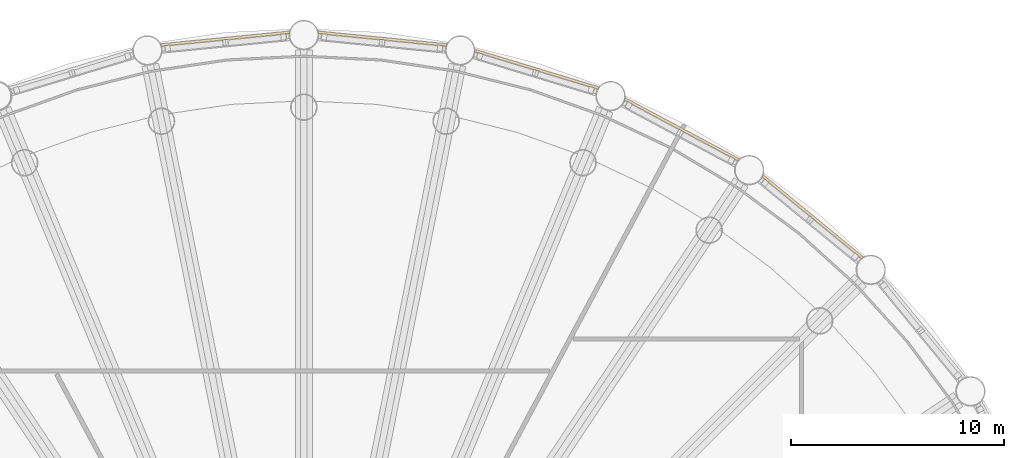
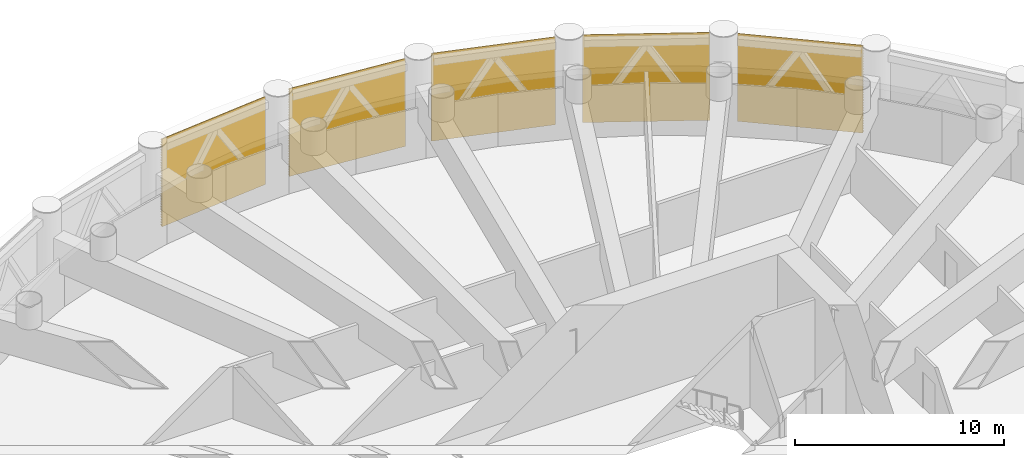
# One storey, part 26 of 26: 5 shading devices, 5 elements without a shape of their own.
"""IFC4 building model written with IfcOpenShell, lengths in metres."""

import ifcopenshell
import ifcopenshell.guid

model = None  # the IFC model being written
_history = None  # IfcOwnerHistory: only IFC2X3 demands one
_inside = {}  # id of a spatial element -> (the spatial element, [elements in it])
_under = {}  # id of a project, library or spatial element -> (it, [spatial elements below it])
_declared = {}  # id of a project -> (the project, [libraries it declares])
_typed = {}  # id of a type object -> (the type object, [elements of that type])
_made_of = {}  # id of a material, layer set ... -> (it, [elements and type objects made of it])


def new_model(schema):
    """Start an empty IFC model of exactly this schema.

    Asked for "IFC4X3", IfcOpenShell would pick the latest addendum, in which some entities
    have other attributes; the version numbers below select the first issue.
    IFC2X3 requires an IfcOwnerHistory on every rooted entity: one is made here for all.
    """
    global model, _history
    if schema == "IFC4X3":
        model = ifcopenshell.file(schema_version=(4, 3, 0, 0))
    else:
        model = ifcopenshell.file(schema=schema)
    _inside.clear()
    _under.clear()
    _declared.clear()
    _typed.clear()
    _made_of.clear()
    _history = None
    if model.schema == "IFC2X3":
        org = make("IfcOrganization", Name="unknown")
        user = make(
            "IfcPersonAndOrganization",
            ThePerson=make("IfcPerson", FamilyName="unknown"),
            TheOrganization=org,
        )
        app = make(
            "IfcApplication",
            ApplicationDeveloper=org,
            Version="unknown",
            ApplicationFullName="unknown",
            ApplicationIdentifier="unknown",
        )
        _history = make(
            "IfcOwnerHistory",
            OwningUser=user,
            OwningApplication=app,
            ChangeAction="ADDED",
            CreationDate=0,
        )
    return model


def make(cls, **values):
    """One entity of the class cls with the attributes given. An attribute that is None is left unset."""
    return model.create_entity(
        cls, **{name: value for name, value in values.items() if value is not None}
    )


def rooted(cls, **values):
    """An entity with a GlobalId (a new one), such as an element, a storey or a relation."""
    return make(cls, GlobalId=ifcopenshell.guid.new(), OwnerHistory=_history, **values)


def si_unit(unit_type, name, prefix=None):
    """IfcSIUnit, for example si_unit("LENGTHUNIT", "METRE", prefix="MILLI")."""
    return make("IfcSIUnit", UnitType=unit_type, Prefix=prefix, Name=name)


def assignment(units):
    """IfcUnitAssignment: the units of a project."""
    return None if units is None else make("IfcUnitAssignment", Units=units)


def point(xyz):
    """IfcCartesianPoint."""
    return None if xyz is None else make("IfcCartesianPoint", Coordinates=xyz)


def direction(xyz):
    """IfcDirection."""
    return None if xyz is None else make("IfcDirection", DirectionRatios=xyz)


def frame(location, z_axis=None, x_axis=None):
    """IfcAxis2Placement3D, a coordinate frame: its origin and axes. An axis left out is left unset."""
    return make(
        "IfcAxis2Placement3D",
        Location=point(location),
        Axis=direction(z_axis),
        RefDirection=direction(x_axis),
    )


def origin():
    """The frame at (0, 0, 0) with its axes left unset."""
    return frame((0.0, 0.0, 0.0))


def place(relative_to, where):
    """IfcLocalPlacement: puts the frame where relative to a parent placement (None: the world)."""
    return make(
        "IfcLocalPlacement", PlacementRelTo=relative_to, RelativePlacement=where
    )


def context(
    kind, dimensions, precision=None, world=None, true_north=None, identifier=None
):
    """IfcGeometricRepresentationContext, for example the 3D "Model" context."""
    return make(
        "IfcGeometricRepresentationContext",
        ContextIdentifier=identifier,
        ContextType=kind,
        CoordinateSpaceDimension=dimensions,
        Precision=precision,
        WorldCoordinateSystem=world,
        TrueNorth=true_north,
    )


def subcontext(parent, identifier, kind, view, scale=None):
    """IfcGeometricRepresentationSubContext, for example "Body" below "Model"."""
    return make(
        "IfcGeometricRepresentationSubContext",
        ContextIdentifier=identifier,
        ContextType=kind,
        ParentContext=parent,
        TargetScale=scale,
        TargetView=view,
    )


def project(units=None, contexts=None):
    """IfcProject with its units and contexts."""
    return rooted(
        "IfcProject",
        Name="project",
        RepresentationContexts=contexts,
        UnitsInContext=assignment(units),
    )


def spatial(cls, under=None, at=None, **own):
    """A site, building, storey or space (cls), placed at a placement, below another one or the project."""
    s = rooted(cls, ObjectPlacement=at, **own)
    if under is not None:
        _under.setdefault(under.id(), (under, []))[1].append(s)
    return s


def polyline(points):
    """IfcPolyline through the points."""
    return make("IfcPolyline", Points=[point(p) for p in points])


def outline(outer, holes=None, kind="AREA"):
    """IfcArbitraryClosedProfileDef: a profile drawn as a closed curve; with holes, ...WithVoids."""
    if holes is None:
        return make("IfcArbitraryClosedProfileDef", ProfileType=kind, OuterCurve=outer)
    return make(
        "IfcArbitraryProfileDefWithVoids",
        ProfileType=kind,
        OuterCurve=outer,
        InnerCurves=holes,
    )


def extrude(swept, where, along, depth):
    """IfcExtrudedAreaSolid: the profile swept, set in the frame where, extruded along a direction by depth."""
    return make(
        "IfcExtrudedAreaSolid",
        SweptArea=swept,
        Position=where,
        ExtrudedDirection=direction(along),
        Depth=depth,
    )


def shape(context_of_items, identifier, shape_type, items):
    """IfcShapeRepresentation: the items that make up one representation, for example the "Body"."""
    return make(
        "IfcShapeRepresentation",
        ContextOfItems=context_of_items,
        RepresentationIdentifier=identifier,
        RepresentationType=shape_type,
        Items=items,
    )


def material(Name=None, Category=None):
    """IfcMaterial."""
    return make("IfcMaterial", Name=Name, Category=Category)


def material_profile(
    of_material, cross_section, Name=None, Category=None, Priority=None
):
    """IfcMaterialProfile: a cross section and its material."""
    return make(
        "IfcMaterialProfile",
        Name=Name,
        Material=of_material,
        Profile=cross_section,
        Priority=Priority,
        Category=Category,
    )


def profile_set(profiles, Name=None, composite=None):
    """IfcMaterialProfileSet."""
    return make(
        "IfcMaterialProfileSet",
        Name=Name,
        MaterialProfiles=profiles,
        CompositeProfile=composite,
    )


def made_of(thing, what):
    """Note that an element or type object is made of a material, layer set ...; save() writes the relation."""
    if what is not None:
        _made_of.setdefault(what.id(), (what, []))[1].append(thing)
    return thing


def type_object(cls, material=None, **own):
    """A type object (cls), such as IfcWallType, which elements share."""
    return made_of(rooted(cls, **own), material)


def element(
    cls,
    number,
    at=None,
    inside=None,
    cuts=None,
    type_object=None,
    material=None,
    context=None,
    identifier="Body",
    shape_type=None,
    held_by="IfcProductDefinitionShape",
    body=None,
    shapes=None,
    **own,
):
    """One element of the class cls, such as IfcWall. Its Tag is "e" and its number.

    at: its placement. inside: the storey or other place that contains it. cuts: it is an
    opening in that element (IfcRelVoidsElement). A single representation is given by context,
    identifier, shape_type and body (its items); several are given by shapes. held_by: the class
    of the entity that holds the representations. save() writes the other relations.
    """
    e = rooted(cls, Tag="e%d" % number, ObjectPlacement=at, **own)
    if body is not None:
        shapes = [shape(context, identifier, shape_type, body)]
    if shapes is not None:
        e.Representation = make(held_by, Representations=shapes)
    if inside is not None:
        _inside.setdefault(inside.id(), (inside, []))[1].append(e)
    if cuts is not None:
        rooted(
            "IfcRelVoidsElement", RelatingBuildingElement=cuts, RelatedOpeningElement=e
        )
    if type_object is not None:
        _typed.setdefault(type_object.id(), (type_object, []))[1].append(e)
    return made_of(e, material)


def aggregate(whole, parts):
    """IfcRelAggregates: a whole, such as a stair, and the parts it consists of."""
    return rooted("IfcRelAggregates", RelatingObject=whole, RelatedObjects=parts)


def save(model, path):
    """Write the relations noted so far, then the file.

    IfcRelAggregates (storeys below a building ...), IfcRelContainedInSpatialStructure (elements
    in a storey), IfcRelDefinesByType, IfcRelAssociatesMaterial and IfcRelDeclares: one each for
    every whole, place, type object, material and project.
    """
    for whole, parts in _under.values():
        aggregate(whole, parts)
    for where, things in _inside.values():
        rooted(
            "IfcRelContainedInSpatialStructure",
            RelatedElements=things,
            RelatingStructure=where,
        )
    for kind, things in _typed.values():
        rooted("IfcRelDefinesByType", RelatedObjects=things, RelatingType=kind)
    for what, things in _made_of.values():
        rooted("IfcRelAssociatesMaterial", RelatedObjects=things, RelatingMaterial=what)
    for by, libraries in _declared.values():
        rooted("IfcRelDeclares", RelatingContext=by, RelatedDefinitions=libraries)
    model.write(path)


model = new_model("IFC4")

# Units and contexts
model_context = context("Model", 3, precision=1e-05, world=origin(), true_north=direction((0.0, 1.0)))
body_context = subcontext(model_context, "Body", "Model", "MODEL_VIEW")
ifc_project = project(units=[si_unit("LENGTHUNIT", "METRE"), si_unit("AREAUNIT", "SQUARE_METRE"), si_unit("VOLUMEUNIT", "CUBIC_METRE"), si_unit("PLANEANGLEUNIT", "RADIAN"), si_unit("MASSUNIT", "GRAM", prefix="KILO")], contexts=[model_context])

# Site, building, storey
site_placement = place(None, origin())
site = spatial("IfcSite", under=ifc_project, at=site_placement, CompositionType="ELEMENT")
building_placement = place(site_placement, origin())
building = spatial("IfcBuilding", under=site, at=building_placement, Name="Corvane Civic Tower", CompositionType="ELEMENT")
storey_placement = place(building_placement, frame((0.0, 0.0, 85.0)))
storey = spatial("IfcBuildingStorey", under=building, at=storey_placement, Name="L19", CompositionType="ELEMENT", Elevation=85.0)

# Curtain wall, shading device
ifc_material_1 = material(Name="Anodised aluminium bronze", Category="aluminium")
curtain_wall_type = type_object("IfcCurtainWallType", Name="TOWER CW-LV LOUVRE SCREEN WALL", PredefinedType="NOTDEFINED", material=ifc_material_1)
curtain_wall_1_placement = place(storey_placement, origin())
curtain_wall_1 = element("IfcCurtainWall", 1, at=curtain_wall_1_placement, inside=storey, type_object=curtain_wall_type, Name="Louvre screen wall CW-LV L19 bay 01", PredefinedType="NOTDEFINED")
ifc_material_2 = material(Name="Anodised aluminium bronze", Category="aluminium")
ifc_material_profile = material_profile(ifc_material_2, outline(polyline([(-0.06005859375, -2.56494140625), (-0.0400390625, -2.56494140625), (0.06005859375, -2.492919921875), (0.06005859375, -2.472900390625), (-0.0400390625, -2.544921875), (-0.0400390625, -2.4140625), (0.06005859375, -2.342041015625), (0.06005859375, -2.322021484375), (-0.0400390625, -2.39404296875), (-0.0400390625, -2.26318359375), (0.06005859375, -2.191162109375), (0.06005859375, -2.171142578125), (-0.0400390625, -2.2431640625), (-0.0400390625, -2.1123046875), (0.06005859375, -2.040283203125), (0.06005859375, -2.0205078125), (-0.0400390625, -2.09228515625), (-0.0400390625, -1.96142578125), (0.06005859375, -1.889404296875), (0.06005859375, -1.869384765625), (-0.0400390625, -1.94140625), (-0.0400390625, -1.810546875), (0.06005859375, -1.738525390625), (0.06005859375, -1.718505859375), (-0.0400390625, -1.79052734375), (-0.0400390625, -1.65966796875), (0.06005859375, -1.587646484375), (0.06005859375, -1.567626953125), (-0.0400390625, -1.6396484375), (-0.0400390625, -1.5087890625), (0.06005859375, -1.436767578125), (0.06005859375, -1.416748046875), (-0.0400390625, -1.48876953125), (-0.0400390625, -1.35791015625), (0.06005859375, -1.285888671875), (0.06005859375, -1.265869140625), (-0.0400390625, -1.337890625), (-0.0400390625, -1.20703125), (0.06005859375, -1.135009765625), (0.06005859375, -1.114990234375), (-0.0400390625, -1.18701171875), (-0.0400390625, -1.05615234375), (0.06005859375, -0.984130859375), (0.06005859375, -0.964111328125), (-0.0400390625, -1.0361328125), (-0.0400390625, -0.9052734375), (0.06005859375, -0.833251953125), (0.06005859375, -0.813232421875), (-0.0400390625, -0.88525390625), (-0.0400390625, -0.75439453125), (0.06005859375, -0.682373046875), (0.06005859375, -0.662353515625), (-0.0400390625, -0.734375), (-0.0400390625, -0.603515625), (0.06005859375, -0.531494140625), (0.06005859375, -0.511474609375), (-0.0400390625, -0.58349609375), (-0.0400390625, -0.45263671875), (0.06005859375, -0.380615234375), (0.06005859375, -0.360595703125), (-0.0400390625, -0.4326171875), (-0.0400390625, -0.3017578125), (0.06005859375, -0.229736328125), (0.06005859375, -0.209716796875), (-0.0400390625, -0.28173828125), (-0.0400390625, -0.15087890625), (0.06005859375, -0.078857421875), (0.06005859375, -0.058837890625), (-0.0400390625, -0.130859375), (-0.0400390625, 0.0), (0.06005859375, 0.072021484375), (0.06005859375, 0.092041015625), (-0.0400390625, 0.02001953125), (-0.0400390625, 0.15087890625), (0.06005859375, 0.222900390625), (0.06005859375, 0.242919921875), (-0.0400390625, 0.1708984375), (-0.0400390625, 0.3017578125), (0.06005859375, 0.373779296875), (0.06005859375, 0.393798828125), (-0.0400390625, 0.32177734375), (-0.0400390625, 0.45263671875), (0.06005859375, 0.524658203125), (0.06005859375, 0.544677734375), (-0.0400390625, 0.47265625), (-0.0400390625, 0.603515625), (0.06005859375, 0.675537109375), (0.06005859375, 0.695556640625), (-0.0400390625, 0.62353515625), (-0.0400390625, 0.75439453125), (0.06005859375, 0.826416015625), (0.06005859375, 0.846435546875), (-0.0400390625, 0.7744140625), (-0.0400390625, 0.9052734375), (0.06005859375, 0.977294921875), (0.06005859375, 0.997314453125), (-0.0400390625, 0.92529296875), (-0.0400390625, 1.05615234375), (0.06005859375, 1.128173828125), (0.06005859375, 1.148193359375), (-0.0400390625, 1.076171875), (-0.0400390625, 1.20703125), (0.06005859375, 1.279052734375), (0.06005859375, 1.299072265625), (-0.0400390625, 1.22705078125), (-0.0400390625, 1.35791015625), (0.06005859375, 1.429931640625), (0.06005859375, 1.449951171875), (-0.0400390625, 1.3779296875), (-0.0400390625, 1.5087890625), (0.06005859375, 1.580810546875), (0.06005859375, 1.600830078125), (-0.0400390625, 1.52880859375), (-0.0400390625, 1.65966796875), (0.06005859375, 1.731689453125), (0.06005859375, 1.751708984375), (-0.0400390625, 1.6796875), (-0.0400390625, 1.810546875), (0.06005859375, 1.882568359375), (0.06005859375, 1.902587890625), (-0.0400390625, 1.83056640625), (-0.0400390625, 1.96142578125), (0.06005859375, 2.033447265625), (0.06005859375, 2.053466796875), (-0.0400390625, 1.9814453125), (-0.0400390625, 2.1123046875), (0.06005859375, 2.184326171875), (0.06005859375, 2.204345703125), (-0.0400390625, 2.13232421875), (-0.0400390625, 2.26318359375), (0.06005859375, 2.335205078125), (0.06005859375, 2.355224609375), (-0.0400390625, 2.283203125), (-0.0400390625, 2.4140625), (0.06005859375, 2.486083984375), (0.06005859375, 2.506103515625), (-0.0400390625, 2.43408203125), (-0.0400390625, 2.56494140625), (-0.06005859375, 2.56494140625), (-0.06005859375, -2.56494140625)])), Name="TOWER LOUVRE BANK 5130 BRONZE")
ifc_profile_set = profile_set([ifc_material_profile], Name="Anodised aluminium bronze")
shading_device_type = type_object("IfcShadingDeviceType", Name="TOWER LOUVRE BANK 5130 BRONZE", PredefinedType="USERDEFINED", material=ifc_profile_set)
shading_device_1_placement = place(storey_placement, frame((0.6611328125, 37.814697265625, 2.68505859375), z_axis=(0.995188262136, -0.097981237525, 0.0), x_axis=(0.097981237525, 0.995188262136, 0.0)))
shading_device_1 = element("IfcShadingDevice", 2, at=shading_device_1_placement, type_object=shading_device_type, Name="Louvre bank L19 01.1", ObjectType="LOUVRE", PredefinedType="USERDEFINED", context=body_context, shape_type="SweptSolid", body=[
    extrude(outline(polyline([(-0.06005859375, -2.56494140625), (-0.0400390625, -2.56494140625), (0.06005859375, -2.492919921875), (0.06005859375, -2.472900390625), (-0.0400390625, -2.544921875), (-0.0400390625, -2.4140625), (0.06005859375, -2.342041015625), (0.06005859375, -2.322021484375), (-0.0400390625, -2.39404296875), (-0.0400390625, -2.26318359375), (0.06005859375, -2.191162109375), (0.06005859375, -2.171142578125), (-0.0400390625, -2.2431640625), (-0.0400390625, -2.1123046875), (0.06005859375, -2.040283203125), (0.06005859375, -2.0205078125), (-0.0400390625, -2.09228515625), (-0.0400390625, -1.96142578125), (0.06005859375, -1.889404296875), (0.06005859375, -1.869384765625), (-0.0400390625, -1.94140625), (-0.0400390625, -1.810546875), (0.06005859375, -1.738525390625), (0.06005859375, -1.718505859375), (-0.0400390625, -1.79052734375), (-0.0400390625, -1.65966796875), (0.06005859375, -1.587646484375), (0.06005859375, -1.567626953125), (-0.0400390625, -1.6396484375), (-0.0400390625, -1.5087890625), (0.06005859375, -1.436767578125), (0.06005859375, -1.416748046875), (-0.0400390625, -1.48876953125), (-0.0400390625, -1.35791015625), (0.06005859375, -1.285888671875), (0.06005859375, -1.265869140625), (-0.0400390625, -1.337890625), (-0.0400390625, -1.20703125), (0.06005859375, -1.135009765625), (0.06005859375, -1.114990234375), (-0.0400390625, -1.18701171875), (-0.0400390625, -1.05615234375), (0.06005859375, -0.984130859375), (0.06005859375, -0.964111328125), (-0.0400390625, -1.0361328125), (-0.0400390625, -0.9052734375), (0.06005859375, -0.833251953125), (0.06005859375, -0.813232421875), (-0.0400390625, -0.88525390625), (-0.0400390625, -0.75439453125), (0.06005859375, -0.682373046875), (0.06005859375, -0.662353515625), (-0.0400390625, -0.734375), (-0.0400390625, -0.603515625), (0.06005859375, -0.531494140625), (0.06005859375, -0.511474609375), (-0.0400390625, -0.58349609375), (-0.0400390625, -0.45263671875), (0.06005859375, -0.380615234375), (0.06005859375, -0.360595703125), (-0.0400390625, -0.4326171875), (-0.0400390625, -0.3017578125), (0.06005859375, -0.229736328125), (0.06005859375, -0.209716796875), (-0.0400390625, -0.28173828125), (-0.0400390625, -0.15087890625), (0.06005859375, -0.078857421875), (0.06005859375, -0.058837890625), (-0.0400390625, -0.130859375), (-0.0400390625, 0.0), (0.06005859375, 0.072021484375), (0.06005859375, 0.092041015625), (-0.0400390625, 0.02001953125), (-0.0400390625, 0.15087890625), (0.06005859375, 0.222900390625), (0.06005859375, 0.242919921875), (-0.0400390625, 0.1708984375), (-0.0400390625, 0.3017578125), (0.06005859375, 0.373779296875), (0.06005859375, 0.393798828125), (-0.0400390625, 0.32177734375), (-0.0400390625, 0.45263671875), (0.06005859375, 0.524658203125), (0.06005859375, 0.544677734375), (-0.0400390625, 0.47265625), (-0.0400390625, 0.603515625), (0.06005859375, 0.675537109375), (0.06005859375, 0.695556640625), (-0.0400390625, 0.62353515625), (-0.0400390625, 0.75439453125), (0.06005859375, 0.826416015625), (0.06005859375, 0.846435546875), (-0.0400390625, 0.7744140625), (-0.0400390625, 0.9052734375), (0.06005859375, 0.977294921875), (0.06005859375, 0.997314453125), (-0.0400390625, 0.92529296875), (-0.0400390625, 1.05615234375), (0.06005859375, 1.128173828125), (0.06005859375, 1.148193359375), (-0.0400390625, 1.076171875), (-0.0400390625, 1.20703125), (0.06005859375, 1.279052734375), (0.06005859375, 1.299072265625), (-0.0400390625, 1.22705078125), (-0.0400390625, 1.35791015625), (0.06005859375, 1.429931640625), (0.06005859375, 1.449951171875), (-0.0400390625, 1.3779296875), (-0.0400390625, 1.5087890625), (0.06005859375, 1.580810546875), (0.06005859375, 1.600830078125), (-0.0400390625, 1.52880859375), (-0.0400390625, 1.65966796875), (0.06005859375, 1.731689453125), (0.06005859375, 1.751708984375), (-0.0400390625, 1.6796875), (-0.0400390625, 1.810546875), (0.06005859375, 1.882568359375), (0.06005859375, 1.902587890625), (-0.0400390625, 1.83056640625), (-0.0400390625, 1.96142578125), (0.06005859375, 2.033447265625), (0.06005859375, 2.053466796875), (-0.0400390625, 1.9814453125), (-0.0400390625, 2.1123046875), (0.06005859375, 2.184326171875), (0.06005859375, 2.204345703125), (-0.0400390625, 2.13232421875), (-0.0400390625, 2.26318359375), (0.06005859375, 2.335205078125), (0.06005859375, 2.355224609375), (-0.0400390625, 2.283203125), (-0.0400390625, 2.4140625), (0.06005859375, 2.486083984375), (0.06005859375, 2.506103515625), (-0.0400390625, 2.43408203125), (-0.0400390625, 2.56494140625), (-0.06005859375, 2.56494140625), (-0.06005859375, -2.56494140625)])), origin(), (0.0, 0.0, 1.0), 6.09716796875),
])
aggregate(curtain_wall_1, [shading_device_1])

curtain_wall_2_placement = place(storey_placement, origin())
curtain_wall_2 = element("IfcCurtainWall", 3, at=curtain_wall_2_placement, inside=storey, type_object=curtain_wall_type, Name="Louvre screen wall CW-LV L19 bay 02", PredefinedType="NOTDEFINED")
shading_device_2_placement = place(storey_placement, frame((8.02587890625, 36.959228515625, 2.68505859375), z_axis=(0.956944551866, -0.29027077816, 0.0), x_axis=(0.29027077816, 0.956944551866, 0.0)))
shading_device_2 = element("IfcShadingDevice", 4, at=shading_device_2_placement, type_object=shading_device_type, Name="Louvre bank L19 02.1", ObjectType="LOUVRE", PredefinedType="USERDEFINED", context=body_context, shape_type="SweptSolid", body=[
    extrude(outline(polyline([(-0.06005859375, -2.56494140625), (-0.0400390625, -2.56494140625), (0.06005859375, -2.492919921875), (0.06005859375, -2.472900390625), (-0.0400390625, -2.544921875), (-0.0400390625, -2.4140625), (0.06005859375, -2.342041015625), (0.06005859375, -2.322021484375), (-0.0400390625, -2.39404296875), (-0.0400390625, -2.26318359375), (0.06005859375, -2.191162109375), (0.06005859375, -2.171142578125), (-0.0400390625, -2.2431640625), (-0.0400390625, -2.1123046875), (0.06005859375, -2.040283203125), (0.06005859375, -2.0205078125), (-0.0400390625, -2.09228515625), (-0.0400390625, -1.96142578125), (0.06005859375, -1.889404296875), (0.06005859375, -1.869384765625), (-0.0400390625, -1.94140625), (-0.0400390625, -1.810546875), (0.06005859375, -1.738525390625), (0.06005859375, -1.718505859375), (-0.0400390625, -1.79052734375), (-0.0400390625, -1.65966796875), (0.06005859375, -1.587646484375), (0.06005859375, -1.567626953125), (-0.0400390625, -1.6396484375), (-0.0400390625, -1.5087890625), (0.06005859375, -1.436767578125), (0.06005859375, -1.416748046875), (-0.0400390625, -1.48876953125), (-0.0400390625, -1.35791015625), (0.06005859375, -1.285888671875), (0.06005859375, -1.265869140625), (-0.0400390625, -1.337890625), (-0.0400390625, -1.20703125), (0.06005859375, -1.135009765625), (0.06005859375, -1.114990234375), (-0.0400390625, -1.18701171875), (-0.0400390625, -1.05615234375), (0.06005859375, -0.984130859375), (0.06005859375, -0.964111328125), (-0.0400390625, -1.0361328125), (-0.0400390625, -0.9052734375), (0.06005859375, -0.833251953125), (0.06005859375, -0.813232421875), (-0.0400390625, -0.88525390625), (-0.0400390625, -0.75439453125), (0.06005859375, -0.682373046875), (0.06005859375, -0.662353515625), (-0.0400390625, -0.734375), (-0.0400390625, -0.603515625), (0.06005859375, -0.531494140625), (0.06005859375, -0.511474609375), (-0.0400390625, -0.58349609375), (-0.0400390625, -0.45263671875), (0.06005859375, -0.380615234375), (0.06005859375, -0.360595703125), (-0.0400390625, -0.4326171875), (-0.0400390625, -0.3017578125), (0.06005859375, -0.229736328125), (0.06005859375, -0.209716796875), (-0.0400390625, -0.28173828125), (-0.0400390625, -0.15087890625), (0.06005859375, -0.078857421875), (0.06005859375, -0.058837890625), (-0.0400390625, -0.130859375), (-0.0400390625, 0.0), (0.06005859375, 0.072021484375), (0.06005859375, 0.092041015625), (-0.0400390625, 0.02001953125), (-0.0400390625, 0.15087890625), (0.06005859375, 0.222900390625), (0.06005859375, 0.242919921875), (-0.0400390625, 0.1708984375), (-0.0400390625, 0.3017578125), (0.06005859375, 0.373779296875), (0.06005859375, 0.393798828125), (-0.0400390625, 0.32177734375), (-0.0400390625, 0.45263671875), (0.06005859375, 0.524658203125), (0.06005859375, 0.544677734375), (-0.0400390625, 0.47265625), (-0.0400390625, 0.603515625), (0.06005859375, 0.675537109375), (0.06005859375, 0.695556640625), (-0.0400390625, 0.62353515625), (-0.0400390625, 0.75439453125), (0.06005859375, 0.826416015625), (0.06005859375, 0.846435546875), (-0.0400390625, 0.7744140625), (-0.0400390625, 0.9052734375), (0.06005859375, 0.977294921875), (0.06005859375, 0.997314453125), (-0.0400390625, 0.92529296875), (-0.0400390625, 1.05615234375), (0.06005859375, 1.128173828125), (0.06005859375, 1.148193359375), (-0.0400390625, 1.076171875), (-0.0400390625, 1.20703125), (0.06005859375, 1.279052734375), (0.06005859375, 1.299072265625), (-0.0400390625, 1.22705078125), (-0.0400390625, 1.35791015625), (0.06005859375, 1.429931640625), (0.06005859375, 1.449951171875), (-0.0400390625, 1.3779296875), (-0.0400390625, 1.5087890625), (0.06005859375, 1.580810546875), (0.06005859375, 1.600830078125), (-0.0400390625, 1.52880859375), (-0.0400390625, 1.65966796875), (0.06005859375, 1.731689453125), (0.06005859375, 1.751708984375), (-0.0400390625, 1.6796875), (-0.0400390625, 1.810546875), (0.06005859375, 1.882568359375), (0.06005859375, 1.902587890625), (-0.0400390625, 1.83056640625), (-0.0400390625, 1.96142578125), (0.06005859375, 2.033447265625), (0.06005859375, 2.053466796875), (-0.0400390625, 1.9814453125), (-0.0400390625, 2.1123046875), (0.06005859375, 2.184326171875), (0.06005859375, 2.204345703125), (-0.0400390625, 2.13232421875), (-0.0400390625, 2.26318359375), (0.06005859375, 2.335205078125), (0.06005859375, 2.355224609375), (-0.0400390625, 2.283203125), (-0.0400390625, 2.4140625), (0.06005859375, 2.486083984375), (0.06005859375, 2.506103515625), (-0.0400390625, 2.43408203125), (-0.0400390625, 2.56494140625), (-0.06005859375, 2.56494140625), (-0.06005859375, -2.56494140625)])), origin(), (0.0, 0.0, 1.0), 6.096923828125),
])
aggregate(curtain_wall_2, [shading_device_2])

curtain_wall_3_placement = place(storey_placement, origin())
curtain_wall_3 = element("IfcCurtainWall", 5, at=curtain_wall_3_placement, inside=storey, type_object=curtain_wall_type, Name="Louvre screen wall CW-LV L19 bay 03", PredefinedType="NOTDEFINED")
shading_device_3_placement = place(storey_placement, frame((15.08203125, 34.683349609375, 2.68505859375), z_axis=(0.881931381664, -0.47137780817, 0.0), x_axis=(0.47137780817, 0.881931381664, 0.0)))
shading_device_3 = element("IfcShadingDevice", 6, at=shading_device_3_placement, type_object=shading_device_type, Name="Louvre bank L19 03.1", ObjectType="LOUVRE", PredefinedType="USERDEFINED", context=body_context, shape_type="SweptSolid", body=[
    extrude(outline(polyline([(-0.06005859375, -2.56494140625), (-0.0400390625, -2.56494140625), (0.06005859375, -2.492919921875), (0.06005859375, -2.472900390625), (-0.0400390625, -2.544921875), (-0.0400390625, -2.4140625), (0.06005859375, -2.342041015625), (0.06005859375, -2.322021484375), (-0.0400390625, -2.39404296875), (-0.0400390625, -2.26318359375), (0.06005859375, -2.191162109375), (0.06005859375, -2.171142578125), (-0.0400390625, -2.2431640625), (-0.0400390625, -2.1123046875), (0.06005859375, -2.040283203125), (0.06005859375, -2.0205078125), (-0.0400390625, -2.09228515625), (-0.0400390625, -1.96142578125), (0.06005859375, -1.889404296875), (0.06005859375, -1.869384765625), (-0.0400390625, -1.94140625), (-0.0400390625, -1.810546875), (0.06005859375, -1.738525390625), (0.06005859375, -1.718505859375), (-0.0400390625, -1.79052734375), (-0.0400390625, -1.65966796875), (0.06005859375, -1.587646484375), (0.06005859375, -1.567626953125), (-0.0400390625, -1.6396484375), (-0.0400390625, -1.5087890625), (0.06005859375, -1.436767578125), (0.06005859375, -1.416748046875), (-0.0400390625, -1.48876953125), (-0.0400390625, -1.35791015625), (0.06005859375, -1.285888671875), (0.06005859375, -1.265869140625), (-0.0400390625, -1.337890625), (-0.0400390625, -1.20703125), (0.06005859375, -1.135009765625), (0.06005859375, -1.114990234375), (-0.0400390625, -1.18701171875), (-0.0400390625, -1.05615234375), (0.06005859375, -0.984130859375), (0.06005859375, -0.964111328125), (-0.0400390625, -1.0361328125), (-0.0400390625, -0.9052734375), (0.06005859375, -0.833251953125), (0.06005859375, -0.813232421875), (-0.0400390625, -0.88525390625), (-0.0400390625, -0.75439453125), (0.06005859375, -0.682373046875), (0.06005859375, -0.662353515625), (-0.0400390625, -0.734375), (-0.0400390625, -0.603515625), (0.06005859375, -0.531494140625), (0.06005859375, -0.511474609375), (-0.0400390625, -0.58349609375), (-0.0400390625, -0.45263671875), (0.06005859375, -0.380615234375), (0.06005859375, -0.360595703125), (-0.0400390625, -0.4326171875), (-0.0400390625, -0.3017578125), (0.06005859375, -0.229736328125), (0.06005859375, -0.209716796875), (-0.0400390625, -0.28173828125), (-0.0400390625, -0.15087890625), (0.06005859375, -0.078857421875), (0.06005859375, -0.058837890625), (-0.0400390625, -0.130859375), (-0.0400390625, 0.0), (0.06005859375, 0.072021484375), (0.06005859375, 0.092041015625), (-0.0400390625, 0.02001953125), (-0.0400390625, 0.15087890625), (0.06005859375, 0.222900390625), (0.06005859375, 0.242919921875), (-0.0400390625, 0.1708984375), (-0.0400390625, 0.3017578125), (0.06005859375, 0.373779296875), (0.06005859375, 0.393798828125), (-0.0400390625, 0.32177734375), (-0.0400390625, 0.45263671875), (0.06005859375, 0.524658203125), (0.06005859375, 0.544677734375), (-0.0400390625, 0.47265625), (-0.0400390625, 0.603515625), (0.06005859375, 0.675537109375), (0.06005859375, 0.695556640625), (-0.0400390625, 0.62353515625), (-0.0400390625, 0.75439453125), (0.06005859375, 0.826416015625), (0.06005859375, 0.846435546875), (-0.0400390625, 0.7744140625), (-0.0400390625, 0.9052734375), (0.06005859375, 0.977294921875), (0.06005859375, 0.997314453125), (-0.0400390625, 0.92529296875), (-0.0400390625, 1.05615234375), (0.06005859375, 1.128173828125), (0.06005859375, 1.148193359375), (-0.0400390625, 1.076171875), (-0.0400390625, 1.20703125), (0.06005859375, 1.279052734375), (0.06005859375, 1.299072265625), (-0.0400390625, 1.22705078125), (-0.0400390625, 1.35791015625), (0.06005859375, 1.429931640625), (0.06005859375, 1.449951171875), (-0.0400390625, 1.3779296875), (-0.0400390625, 1.5087890625), (0.06005859375, 1.580810546875), (0.06005859375, 1.600830078125), (-0.0400390625, 1.52880859375), (-0.0400390625, 1.65966796875), (0.06005859375, 1.731689453125), (0.06005859375, 1.751708984375), (-0.0400390625, 1.6796875), (-0.0400390625, 1.810546875), (0.06005859375, 1.882568359375), (0.06005859375, 1.902587890625), (-0.0400390625, 1.83056640625), (-0.0400390625, 1.96142578125), (0.06005859375, 2.033447265625), (0.06005859375, 2.053466796875), (-0.0400390625, 1.9814453125), (-0.0400390625, 2.1123046875), (0.06005859375, 2.184326171875), (0.06005859375, 2.204345703125), (-0.0400390625, 2.13232421875), (-0.0400390625, 2.26318359375), (0.06005859375, 2.335205078125), (0.06005859375, 2.355224609375), (-0.0400390625, 2.283203125), (-0.0400390625, 2.4140625), (0.06005859375, 2.486083984375), (0.06005859375, 2.506103515625), (-0.0400390625, 2.43408203125), (-0.0400390625, 2.56494140625), (-0.06005859375, 2.56494140625), (-0.06005859375, -2.56494140625)])), origin(), (0.0, 0.0, 1.0), 6.09716796875),
])
aggregate(curtain_wall_3, [shading_device_3])

curtain_wall_4_placement = place(storey_placement, origin())
curtain_wall_4 = element("IfcCurtainWall", 7, at=curtain_wall_4_placement, inside=storey, type_object=curtain_wall_type, Name="Louvre screen wall CW-LV L19 bay 04", PredefinedType="NOTDEFINED")
shading_device_4_placement = place(storey_placement, frame((21.55859375, 31.074462890625, 2.68505859375), z_axis=(0.77301446029, -0.634388401677, 0.0), x_axis=(0.634388401677, 0.77301446029, 0.0)))
shading_device_4 = element("IfcShadingDevice", 8, at=shading_device_4_placement, type_object=shading_device_type, Name="Louvre bank L19 04.1", ObjectType="LOUVRE", PredefinedType="USERDEFINED", context=body_context, shape_type="SweptSolid", body=[
    extrude(outline(polyline([(-0.06005859375, -2.56494140625), (-0.0400390625, -2.56494140625), (0.06005859375, -2.492919921875), (0.06005859375, -2.472900390625), (-0.0400390625, -2.544921875), (-0.0400390625, -2.4140625), (0.06005859375, -2.342041015625), (0.06005859375, -2.322021484375), (-0.0400390625, -2.39404296875), (-0.0400390625, -2.26318359375), (0.06005859375, -2.191162109375), (0.06005859375, -2.171142578125), (-0.0400390625, -2.2431640625), (-0.0400390625, -2.1123046875), (0.06005859375, -2.040283203125), (0.06005859375, -2.0205078125), (-0.0400390625, -2.09228515625), (-0.0400390625, -1.96142578125), (0.06005859375, -1.889404296875), (0.06005859375, -1.869384765625), (-0.0400390625, -1.94140625), (-0.0400390625, -1.810546875), (0.06005859375, -1.738525390625), (0.06005859375, -1.718505859375), (-0.0400390625, -1.79052734375), (-0.0400390625, -1.65966796875), (0.06005859375, -1.587646484375), (0.06005859375, -1.567626953125), (-0.0400390625, -1.6396484375), (-0.0400390625, -1.5087890625), (0.06005859375, -1.436767578125), (0.06005859375, -1.416748046875), (-0.0400390625, -1.48876953125), (-0.0400390625, -1.35791015625), (0.06005859375, -1.285888671875), (0.06005859375, -1.265869140625), (-0.0400390625, -1.337890625), (-0.0400390625, -1.20703125), (0.06005859375, -1.135009765625), (0.06005859375, -1.114990234375), (-0.0400390625, -1.18701171875), (-0.0400390625, -1.05615234375), (0.06005859375, -0.984130859375), (0.06005859375, -0.964111328125), (-0.0400390625, -1.0361328125), (-0.0400390625, -0.9052734375), (0.06005859375, -0.833251953125), (0.06005859375, -0.813232421875), (-0.0400390625, -0.88525390625), (-0.0400390625, -0.75439453125), (0.06005859375, -0.682373046875), (0.06005859375, -0.662353515625), (-0.0400390625, -0.734375), (-0.0400390625, -0.603515625), (0.06005859375, -0.531494140625), (0.06005859375, -0.511474609375), (-0.0400390625, -0.58349609375), (-0.0400390625, -0.45263671875), (0.06005859375, -0.380615234375), (0.06005859375, -0.360595703125), (-0.0400390625, -0.4326171875), (-0.0400390625, -0.3017578125), (0.06005859375, -0.229736328125), (0.06005859375, -0.209716796875), (-0.0400390625, -0.28173828125), (-0.0400390625, -0.15087890625), (0.06005859375, -0.078857421875), (0.06005859375, -0.058837890625), (-0.0400390625, -0.130859375), (-0.0400390625, 0.0), (0.06005859375, 0.072021484375), (0.06005859375, 0.092041015625), (-0.0400390625, 0.02001953125), (-0.0400390625, 0.15087890625), (0.06005859375, 0.222900390625), (0.06005859375, 0.242919921875), (-0.0400390625, 0.1708984375), (-0.0400390625, 0.3017578125), (0.06005859375, 0.373779296875), (0.06005859375, 0.393798828125), (-0.0400390625, 0.32177734375), (-0.0400390625, 0.45263671875), (0.06005859375, 0.524658203125), (0.06005859375, 0.544677734375), (-0.0400390625, 0.47265625), (-0.0400390625, 0.603515625), (0.06005859375, 0.675537109375), (0.06005859375, 0.695556640625), (-0.0400390625, 0.62353515625), (-0.0400390625, 0.75439453125), (0.06005859375, 0.826416015625), (0.06005859375, 0.846435546875), (-0.0400390625, 0.7744140625), (-0.0400390625, 0.9052734375), (0.06005859375, 0.977294921875), (0.06005859375, 0.997314453125), (-0.0400390625, 0.92529296875), (-0.0400390625, 1.05615234375), (0.06005859375, 1.128173828125), (0.06005859375, 1.148193359375), (-0.0400390625, 1.076171875), (-0.0400390625, 1.20703125), (0.06005859375, 1.279052734375), (0.06005859375, 1.299072265625), (-0.0400390625, 1.22705078125), (-0.0400390625, 1.35791015625), (0.06005859375, 1.429931640625), (0.06005859375, 1.449951171875), (-0.0400390625, 1.3779296875), (-0.0400390625, 1.5087890625), (0.06005859375, 1.580810546875), (0.06005859375, 1.600830078125), (-0.0400390625, 1.52880859375), (-0.0400390625, 1.65966796875), (0.06005859375, 1.731689453125), (0.06005859375, 1.751708984375), (-0.0400390625, 1.6796875), (-0.0400390625, 1.810546875), (0.06005859375, 1.882568359375), (0.06005859375, 1.902587890625), (-0.0400390625, 1.83056640625), (-0.0400390625, 1.96142578125), (0.06005859375, 2.033447265625), (0.06005859375, 2.053466796875), (-0.0400390625, 1.9814453125), (-0.0400390625, 2.1123046875), (0.06005859375, 2.184326171875), (0.06005859375, 2.204345703125), (-0.0400390625, 2.13232421875), (-0.0400390625, 2.26318359375), (0.06005859375, 2.335205078125), (0.06005859375, 2.355224609375), (-0.0400390625, 2.283203125), (-0.0400390625, 2.4140625), (0.06005859375, 2.486083984375), (0.06005859375, 2.506103515625), (-0.0400390625, 2.43408203125), (-0.0400390625, 2.56494140625), (-0.06005859375, 2.56494140625), (-0.06005859375, -2.56494140625)])), origin(), (0.0, 0.0, 1.0), 6.09716796875),
])
aggregate(curtain_wall_4, [shading_device_4])

curtain_wall_5_placement = place(storey_placement, origin())
curtain_wall_5 = element("IfcCurtainWall", 9, at=curtain_wall_5_placement, inside=storey, type_object=curtain_wall_type, Name="Louvre screen wall CW-LV L19 bay 32", PredefinedType="NOTDEFINED")
shading_device_5_placement = place(storey_placement, frame((-6.72900390625, 37.21728515625, 2.68505859375), z_axis=(0.995188262136, 0.097981237525, 0.0), x_axis=(-0.097981237525, 0.995188262136, 0.0)))
shading_device_5 = element("IfcShadingDevice", 10, at=shading_device_5_placement, type_object=shading_device_type, Name="Louvre bank L19 32.1", ObjectType="LOUVRE", PredefinedType="USERDEFINED", context=body_context, shape_type="SweptSolid", body=[
    extrude(outline(polyline([(-0.06005859375, -2.56494140625), (-0.0400390625, -2.56494140625), (0.06005859375, -2.492919921875), (0.06005859375, -2.472900390625), (-0.0400390625, -2.544921875), (-0.0400390625, -2.4140625), (0.06005859375, -2.342041015625), (0.06005859375, -2.322021484375), (-0.0400390625, -2.39404296875), (-0.0400390625, -2.26318359375), (0.06005859375, -2.191162109375), (0.06005859375, -2.171142578125), (-0.0400390625, -2.2431640625), (-0.0400390625, -2.1123046875), (0.06005859375, -2.040283203125), (0.06005859375, -2.0205078125), (-0.0400390625, -2.09228515625), (-0.0400390625, -1.96142578125), (0.06005859375, -1.889404296875), (0.06005859375, -1.869384765625), (-0.0400390625, -1.94140625), (-0.0400390625, -1.810546875), (0.06005859375, -1.738525390625), (0.06005859375, -1.718505859375), (-0.0400390625, -1.79052734375), (-0.0400390625, -1.65966796875), (0.06005859375, -1.587646484375), (0.06005859375, -1.567626953125), (-0.0400390625, -1.6396484375), (-0.0400390625, -1.5087890625), (0.06005859375, -1.436767578125), (0.06005859375, -1.416748046875), (-0.0400390625, -1.48876953125), (-0.0400390625, -1.35791015625), (0.06005859375, -1.285888671875), (0.06005859375, -1.265869140625), (-0.0400390625, -1.337890625), (-0.0400390625, -1.20703125), (0.06005859375, -1.135009765625), (0.06005859375, -1.114990234375), (-0.0400390625, -1.18701171875), (-0.0400390625, -1.05615234375), (0.06005859375, -0.984130859375), (0.06005859375, -0.964111328125), (-0.0400390625, -1.0361328125), (-0.0400390625, -0.9052734375), (0.06005859375, -0.833251953125), (0.06005859375, -0.813232421875), (-0.0400390625, -0.88525390625), (-0.0400390625, -0.75439453125), (0.06005859375, -0.682373046875), (0.06005859375, -0.662353515625), (-0.0400390625, -0.734375), (-0.0400390625, -0.603515625), (0.06005859375, -0.531494140625), (0.06005859375, -0.511474609375), (-0.0400390625, -0.58349609375), (-0.0400390625, -0.45263671875), (0.06005859375, -0.380615234375), (0.06005859375, -0.360595703125), (-0.0400390625, -0.4326171875), (-0.0400390625, -0.3017578125), (0.06005859375, -0.229736328125), (0.06005859375, -0.209716796875), (-0.0400390625, -0.28173828125), (-0.0400390625, -0.15087890625), (0.06005859375, -0.078857421875), (0.06005859375, -0.058837890625), (-0.0400390625, -0.130859375), (-0.0400390625, 0.0), (0.06005859375, 0.072021484375), (0.06005859375, 0.092041015625), (-0.0400390625, 0.02001953125), (-0.0400390625, 0.15087890625), (0.06005859375, 0.222900390625), (0.06005859375, 0.242919921875), (-0.0400390625, 0.1708984375), (-0.0400390625, 0.3017578125), (0.06005859375, 0.373779296875), (0.06005859375, 0.393798828125), (-0.0400390625, 0.32177734375), (-0.0400390625, 0.45263671875), (0.06005859375, 0.524658203125), (0.06005859375, 0.544677734375), (-0.0400390625, 0.47265625), (-0.0400390625, 0.603515625), (0.06005859375, 0.675537109375), (0.06005859375, 0.695556640625), (-0.0400390625, 0.62353515625), (-0.0400390625, 0.75439453125), (0.06005859375, 0.826416015625), (0.06005859375, 0.846435546875), (-0.0400390625, 0.7744140625), (-0.0400390625, 0.9052734375), (0.06005859375, 0.977294921875), (0.06005859375, 0.997314453125), (-0.0400390625, 0.92529296875), (-0.0400390625, 1.05615234375), (0.06005859375, 1.128173828125), (0.06005859375, 1.148193359375), (-0.0400390625, 1.076171875), (-0.0400390625, 1.20703125), (0.06005859375, 1.279052734375), (0.06005859375, 1.299072265625), (-0.0400390625, 1.22705078125), (-0.0400390625, 1.35791015625), (0.06005859375, 1.429931640625), (0.06005859375, 1.449951171875), (-0.0400390625, 1.3779296875), (-0.0400390625, 1.5087890625), (0.06005859375, 1.580810546875), (0.06005859375, 1.600830078125), (-0.0400390625, 1.52880859375), (-0.0400390625, 1.65966796875), (0.06005859375, 1.731689453125), (0.06005859375, 1.751708984375), (-0.0400390625, 1.6796875), (-0.0400390625, 1.810546875), (0.06005859375, 1.882568359375), (0.06005859375, 1.902587890625), (-0.0400390625, 1.83056640625), (-0.0400390625, 1.96142578125), (0.06005859375, 2.033447265625), (0.06005859375, 2.053466796875), (-0.0400390625, 1.9814453125), (-0.0400390625, 2.1123046875), (0.06005859375, 2.184326171875), (0.06005859375, 2.204345703125), (-0.0400390625, 2.13232421875), (-0.0400390625, 2.26318359375), (0.06005859375, 2.335205078125), (0.06005859375, 2.355224609375), (-0.0400390625, 2.283203125), (-0.0400390625, 2.4140625), (0.06005859375, 2.486083984375), (0.06005859375, 2.506103515625), (-0.0400390625, 2.43408203125), (-0.0400390625, 2.56494140625), (-0.06005859375, 2.56494140625), (-0.06005859375, -2.56494140625)])), origin(), (0.0, 0.0, 1.0), 6.09716796875),
])
aggregate(curtain_wall_5, [shading_device_5])

save(model, "model.ifc")
